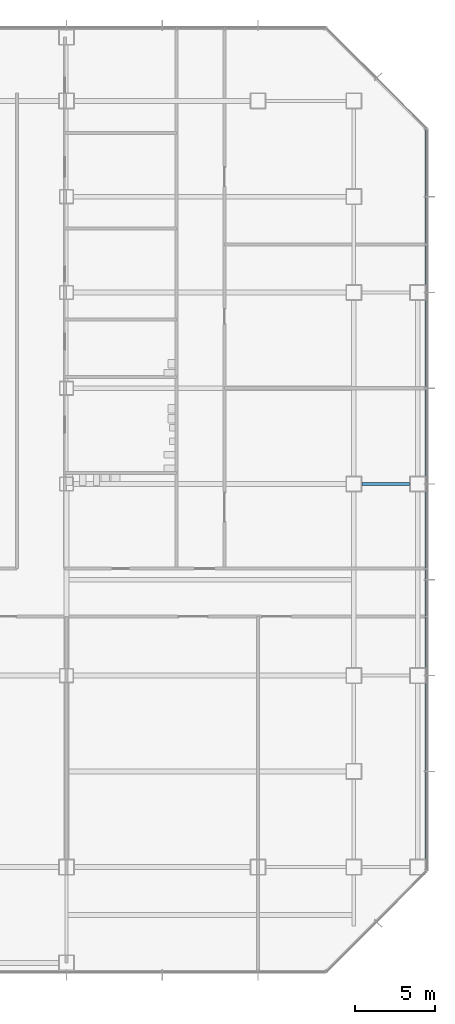
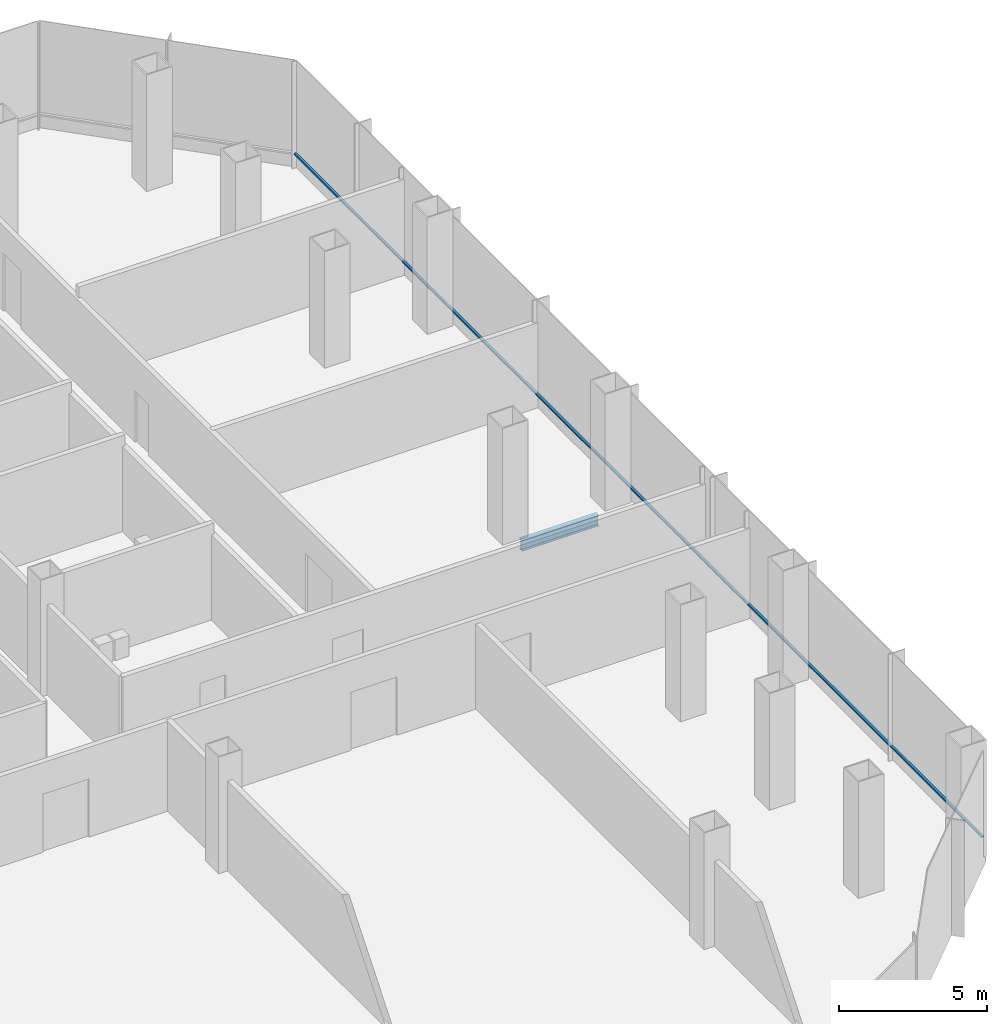
# One storey, part 18 of 33: 1 beam, 1 member, 1 element without a shape of its own.
"""IFC4 building model written with IfcOpenShell, lengths in metres."""

from ifc_helpers import new_model, si_unit, direction, frame, origin, origin_2d, place, context, subcontext, project, spatial, rectangle, i_section, extrude, material, material_profile, profile_set, type_object, element, aggregate, save


model = new_model("IFC4")

# Units and contexts
model_context = context("Model", 3, precision=1e-05, world=origin(), true_north=direction((0.0, 1.0)))
body_context = subcontext(model_context, "Body", "Model", "MODEL_VIEW")
ifc_project = project(units=[si_unit("LENGTHUNIT", "METRE"), si_unit("AREAUNIT", "SQUARE_METRE"), si_unit("VOLUMEUNIT", "CUBIC_METRE"), si_unit("PLANEANGLEUNIT", "RADIAN"), si_unit("MASSUNIT", "GRAM", prefix="KILO")], contexts=[model_context])

# Site, building, storey
site_placement = place(None, origin())
site = spatial("IfcSite", under=ifc_project, at=site_placement, CompositionType="ELEMENT")
building_placement = place(site_placement, origin())
building = spatial("IfcBuilding", under=site, at=building_placement, Name="Sorahane Residences", CompositionType="ELEMENT")
storey_placement = place(building_placement, frame((0.0, 0.0, 25.199951171875)))
storey = spatial("IfcBuildingStorey", under=building, at=storey_placement, Name="L03", CompositionType="ELEMENT", Elevation=25.199951171875)

# Curtain wall, member
ifc_material_1 = material(Name="Dark low-e glass and black anodised aluminium", Category="aluminium")
curtain_wall_type = type_object("IfcCurtainWallType", Name="Curtain wall CW-3 Podium unitised wall", PredefinedType="NOTDEFINED", material=ifc_material_1)
curtain_wall_placement = place(storey_placement, origin())
curtain_wall = element("IfcCurtainWall", 1, at=curtain_wall_placement, inside=storey, type_object=curtain_wall_type, Name="CW-3 curtain wall L03 E1", PredefinedType="NOTDEFINED")
ifc_material_2 = material(Name="Black anodised aluminium", Category="aluminium")
ifc_material_profile_1 = material_profile(ifc_material_2, rectangle(XDim=0.10009765625, YDim=0.06005859375, at=origin_2d()), Name="Curtain wall transom CW-3 black anodised aluminium 60x100")
ifc_profile_set_1 = profile_set([ifc_material_profile_1], Name="Black anodised aluminium")
member_type = type_object("IfcMemberType", Name="Curtain wall transom CW-3 black anodised aluminium 60x100", PredefinedType="USERDEFINED", material=ifc_profile_set_1)
member_placement = place(storey_placement, frame((70.530029296875, -0.198486328125, 0.60009765625), z_axis=(0.0, 1.0, 0.0), x_axis=(-1.0, 0.0, 0.0)))
member = element("IfcMember", 2, at=member_placement, type_object=member_type, Name="CW-3 transom L03 E1", ObjectType="TRANSOM", PredefinedType="USERDEFINED", context=body_context, shape_type="SweptSolid", body=[
    extrude(rectangle(XDim=0.10009765625, YDim=0.06005859375, at=origin_2d()), origin(), (0.0, 0.0, 1.0), 46.39697265625),
])
aggregate(curtain_wall, [member])

# Beam
ifc_material_3 = material(Name="Steel Q355B", Category="steel")
ifc_material_profile_2 = material_profile(ifc_material_3, i_section(OverallWidth=0.199951171875, OverallDepth=0.449951171875, WebThickness=0.009033203125, FlangeThickness=0.013916015625, FilletRadius=0.02001953125, at=origin_2d()), Name="HN 450x200x9x14")
ifc_profile_set_2 = profile_set([ifc_material_profile_2], Name="Steel Q355B")
beam_type = type_object("IfcBeamType", Name="Steel floor beam HN 450x200x9x14 Q355B", PredefinedType="BEAM", material=ifc_profile_set_2)
beam_placement = place(storey_placement, frame((66.5, 24.0, -0.625), z_axis=(1.0, 0.0, 0.0), x_axis=(0.0, 1.0, 0.0)))
element("IfcBeam", 3, at=beam_placement, inside=storey, type_object=beam_type, Name="Beam L03 015", PredefinedType="BEAM", context=body_context, shape_type="SweptSolid", body=[
    extrude(i_section(OverallWidth=0.199951171875, OverallDepth=0.449951171875, WebThickness=0.009033203125, FlangeThickness=0.013916015625, FilletRadius=0.02001953125, at=origin_2d()), origin(), (0.0, 0.0, 1.0), 3.0),
])

save(model, "model.ifc")
